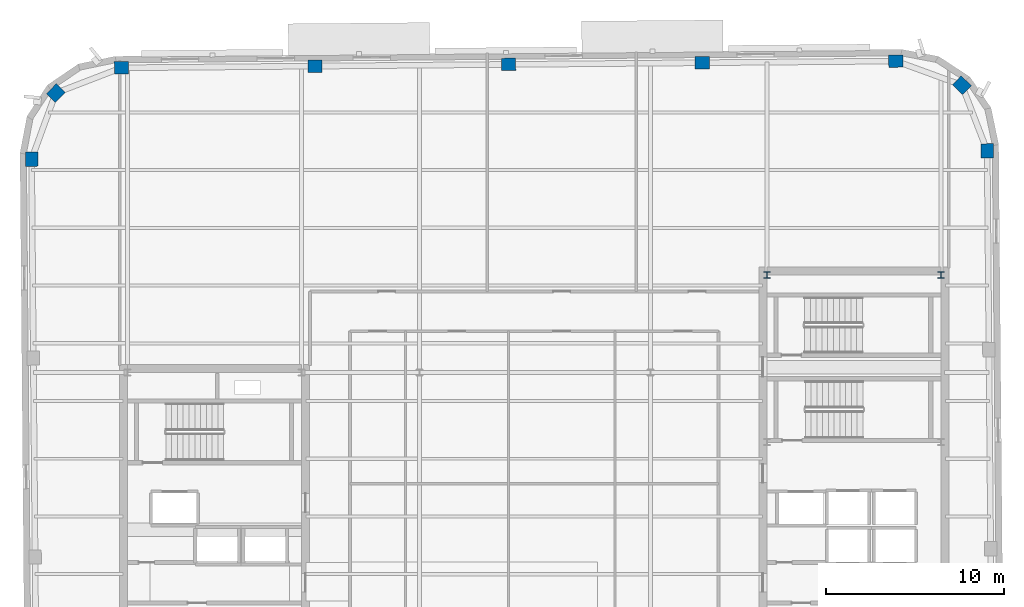
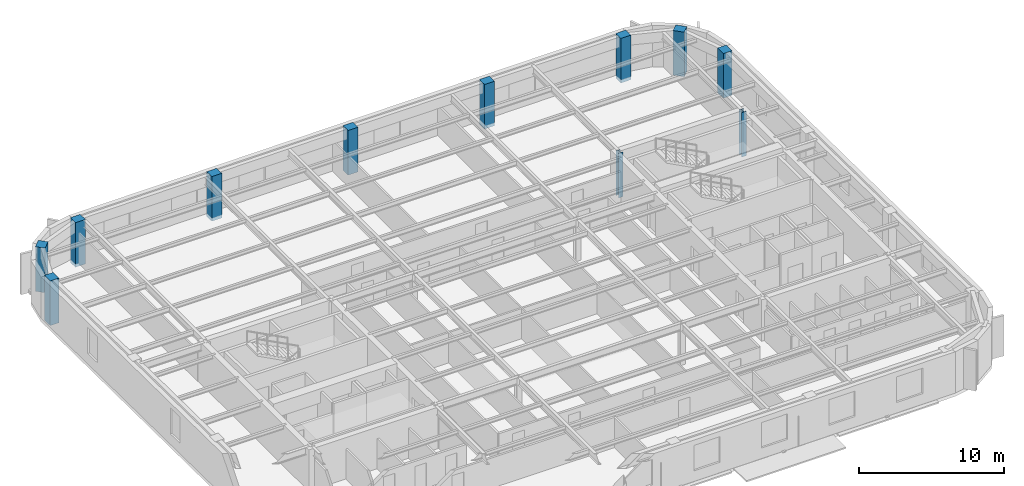
# One storey, part 3 of 15: 11 columns.
"""IFC4 building model written with IfcOpenShell, lengths in metres."""

from ifc_helpers import new_model, si_unit, direction, frame, origin, origin_2d, place, context, subcontext, project, spatial, rectangle, i_section, extrude, material, material_profile, profile_set, type_object, element, save


model = new_model("IFC4")

# Units and contexts
model_context = context("Model", 3, precision=1e-05, world=origin(), true_north=direction((0.0, 1.0)))
body_context = subcontext(model_context, "Body", "Model", "MODEL_VIEW")
ifc_project = project(units=[si_unit("LENGTHUNIT", "METRE"), si_unit("AREAUNIT", "SQUARE_METRE"), si_unit("VOLUMEUNIT", "CUBIC_METRE"), si_unit("PLANEANGLEUNIT", "RADIAN"), si_unit("MASSUNIT", "GRAM", prefix="KILO")], contexts=[model_context])

# Site, building, storey
site_placement = place(None, origin())
site = spatial("IfcSite", under=ifc_project, at=site_placement, CompositionType="ELEMENT")
building_placement = place(site_placement, origin())
building = spatial("IfcBuilding", under=site, at=building_placement, Name="Kolvaren Arena Tower", CompositionType="ELEMENT")
storey_placement = place(building_placement, frame((0.0, 0.0, 304.89990234375)))
storey = spatial("IfcBuildingStorey", under=building, at=storey_placement, Name="L75", CompositionType="ELEMENT", Elevation=304.89990234375)

# Columns
ifc_material_1 = material(Name="Precast concrete C50/60", Category="concrete")
ifc_material_profile_1 = material_profile(ifc_material_1, rectangle(XDim=0.800048828125, YDim=0.699951171875, at=origin_2d()), Name="RC-800x700")
ifc_profile_set_1 = profile_set([ifc_material_profile_1], Name="Precast concrete C50/60")
column_type_1 = type_object("IfcColumnType", Name="EXCOL-Z5", PredefinedType="COLUMN", material=ifc_profile_set_1)
for number, where, z_axis, x_axis, name in (
    (1, (62.952392578125, 46.333984375, -0.27001953125), (0.0, 0.0, 1.0), (-0.008726535498, 0.999961923064, 0.0), "Exoskeleton Perimeter Column 10 (L75)"),
    (2, (61.52880859375, 50.030517578125, -0.27001953125), (0.0, 0.0, 1.0), (-0.713250449154, 0.7009092643, 0.0), "Exoskeleton Perimeter Column 11 (L75)"),
    (3, (57.80810546875, 51.389404296875, -0.27001953125), (0.0, 0.0, 1.0), (0.999961923064, 0.008726535498, 0.0), "Exoskeleton Perimeter Column 12 (L75)"),
    (4, (46.908447265625, 51.294189453125, -0.27001953125), (0.0, 0.0, 1.0), (0.999961923064, 0.008726535498, 0.0), "Exoskeleton Perimeter Column 13 (L75)"),
    (5, (36.0087890625, 51.19921875, -0.27001953125), (0.0, 0.0, 1.0), (0.999961923064, 0.008726535498, 0.0), "Exoskeleton Perimeter Column 14 (L75)"),
    (6, (25.109375, 51.10400390625, -0.27001953125), (0.0, 0.0, 1.0), (0.999961923064, 0.008726535498, 0.0), "Exoskeleton Perimeter Column 15 (L75)"),
    (7, (14.209716796875, 51.0087890625, -0.27001953125), (0.0, 0.0, 1.0), (0.999961923064, 0.008726535498, 0.0), "Exoskeleton Perimeter Column 16 (L75)"),
    (8, (10.51318359375, 49.58544921875, -0.27001953125), (0.0, 0.0, 1.0), (0.7009092643, 0.713250449154, 0.0), "Exoskeleton Perimeter Column 17 (L75)"),
    (9, (9.154296875, 45.864501953125, -0.27001953125), (0.0, 0.0, 1.0), (-0.008726535498, 0.999961923064, 0.0), "Exoskeleton Perimeter Column 18 (L75)"),
):
    element("IfcColumn", number, at=place(storey_placement, frame(where, z_axis=z_axis, x_axis=x_axis)), inside=storey, type_object=column_type_1, Name=name, PredefinedType="COLUMN", context=body_context, shape_type="SweptSolid", body=[
        extrude(rectangle(XDim=0.800048828125, YDim=0.699951171875, at=origin_2d()), origin(), (0.0, 0.0, 1.0), 3.75),
    ])
ifc_material_2 = material(Name="Steel ASTM A913 Grade 65", Category="steel")
ifc_material_profile_2 = material_profile(ifc_material_2, i_section(OverallWidth=0.3740234375, OverallDepth=0.3720703125, WebThickness=0.016357421875, FlangeThickness=0.026123046875, FilletRadius=0.02001953125, at=origin_2d()), Name="W360x196")
ifc_profile_set_2 = profile_set([ifc_material_profile_2], Name="Steel ASTM A913 Grade 65")
column_type_2 = type_object("IfcColumnType", Name="SCOL-Z5", PredefinedType="COLUMN", material=ifc_profile_set_2)
for number, where, z_axis, x_axis, name in (
    (10, (50.550048828125, 39.35009765625, -0.27001953125), (0.0, 0.0, 1.0), (1.0, 0.0, 0.0), "Core Boundary Column EC-NW (L75)"),
    (11, (60.35009765625, 39.35009765625, -0.27001953125), (0.0, 0.0, 1.0), (1.0, 0.0, 0.0), "Core Boundary Column EC-NE (L75)"),
):
    element("IfcColumn", number, at=place(storey_placement, frame(where, z_axis=z_axis, x_axis=x_axis)), inside=storey, type_object=column_type_2, Name=name, PredefinedType="COLUMN", context=body_context, shape_type="SweptSolid", body=[
        extrude(i_section(OverallWidth=0.3740234375, OverallDepth=0.3720703125, WebThickness=0.016357421875, FlangeThickness=0.026123046875, FilletRadius=0.02001953125, at=origin_2d()), origin(), (0.0, 0.0, 1.0), 3.75),
    ])

save(model, "model.ifc")
